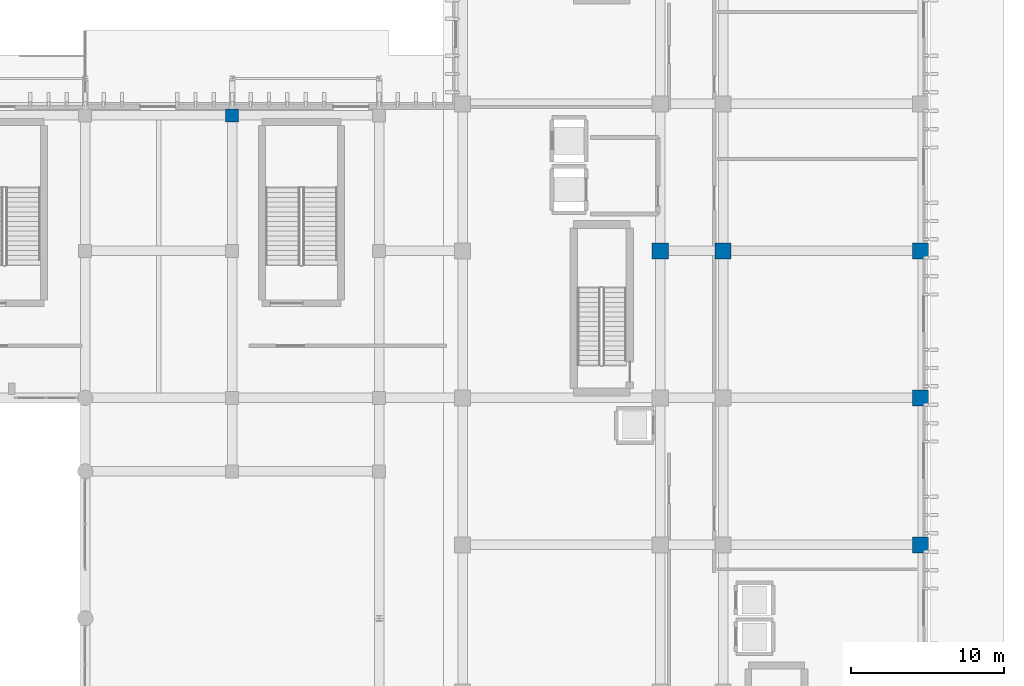
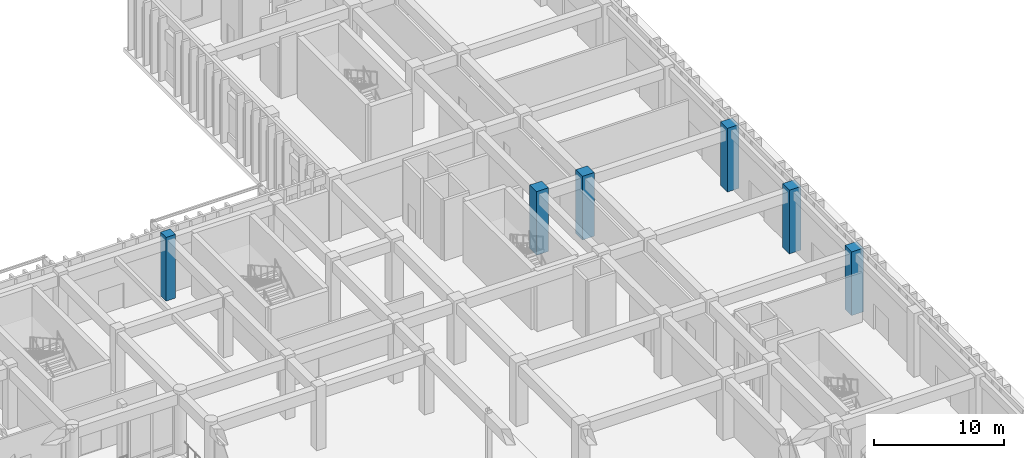
# One storey, part 12 of 87: 6 columns.
"""IFC4 building model written with IfcOpenShell, lengths in metres."""

from ifc_helpers import new_model, si_unit, direction, frame, origin, origin_2d, place, context, subcontext, project, spatial, rectangle, extrude, material, material_profile, profile_set, type_object, element, save


model = new_model("IFC4")

# Units and contexts
model_context = context("Model", 3, precision=1e-05, world=origin(), true_north=direction((0.0, 1.0)))
body_context = subcontext(model_context, "Body", "Model", "MODEL_VIEW")
ifc_project = project(units=[si_unit("LENGTHUNIT", "METRE"), si_unit("AREAUNIT", "SQUARE_METRE"), si_unit("VOLUMEUNIT", "CUBIC_METRE"), si_unit("PLANEANGLEUNIT", "RADIAN"), si_unit("MASSUNIT", "GRAM", prefix="KILO")], contexts=[model_context])

# Site, building, storey
site_placement = place(None, origin())
site = spatial("IfcSite", under=ifc_project, at=site_placement, CompositionType="ELEMENT")
building_placement = place(site_placement, origin())
building = spatial("IfcBuilding", under=site, at=building_placement, Name="Nakhvara Creek Congress Hotel", CompositionType="ELEMENT")
storey_placement = place(building_placement, origin())
storey = spatial("IfcBuildingStorey", under=building, at=storey_placement, Name="L00", CompositionType="ELEMENT", Elevation=0.0)

# Columns
ifc_material = material(Name="Concrete C50/60", Category="concrete")
ifc_material_profile_1 = material_profile(ifc_material, rectangle(XDim=1.050048828125, YDim=1.050048828125, at=origin_2d()), Name="RC-COL 1050x1050", Category="LoadBearing")
ifc_profile_set_1 = profile_set([ifc_material_profile_1], Name="Concrete C50/60")
column_type_1 = type_object("IfcColumnType", Name="COL-RC-1050", PredefinedType="COLUMN", material=ifc_profile_set_1)
for number, where, z_axis, x_axis, name in (
    (1, (162.35009765625, 86.39990234375, 0.0), (0.0, 0.0, 1.0), (1.0, 0.0, 0.0), "Column C16-L00-0779"),
    (2, (166.449951171875, 86.39990234375, 0.0), (0.0, 0.0, 1.0), (1.0, 0.0, 0.0), "Column C16-L00-0793"),
    (3, (179.35009765625, 67.199951171875, 0.0), (0.0, 0.0, 1.0), (1.0, 0.0, 0.0), "Column C16-L00-0805"),
    (4, (179.35009765625, 76.800048828125, 0.0), (0.0, 0.0, 1.0), (1.0, 0.0, 0.0), "Column C16-L00-0806"),
    (5, (179.35009765625, 86.39990234375, 0.0), (0.0, 0.0, 1.0), (1.0, 0.0, 0.0), "Column C16-L00-0807"),
):
    element("IfcColumn", number, at=place(storey_placement, frame(where, z_axis=z_axis, x_axis=x_axis)), inside=storey, type_object=column_type_1, Name=name, PredefinedType="COLUMN", context=body_context, shape_type="SweptSolid", body=[
        extrude(rectangle(XDim=1.050048828125, YDim=1.050048828125, at=origin_2d()), origin(), (0.0, 0.0, 1.0), 6.0),
    ])
ifc_material_profile_2 = material_profile(ifc_material, rectangle(XDim=0.85009765625, YDim=0.85009765625, at=origin_2d()), Name="RC-COL 850x850", Category="LoadBearing")
ifc_profile_set_2 = profile_set([ifc_material_profile_2], Name="Concrete C50/60")
column_type_2 = type_object("IfcColumnType", Name="COL-RC-850", PredefinedType="COLUMN", material=ifc_profile_set_2)
column_placement = place(storey_placement, frame((134.39990234375, 95.25, 0.0), z_axis=(0.0, 0.0, 1.0), x_axis=(1.0, 0.0, 0.0)))
element("IfcColumn", 6, at=column_placement, inside=storey, type_object=column_type_2, Name="Column C18-L00-0727", PredefinedType="COLUMN", context=body_context, shape_type="SweptSolid", body=[
    extrude(rectangle(XDim=0.85009765625, YDim=0.85009765625, at=origin_2d()), origin(), (0.0, 0.0, 1.0), 6.0),
])

save(model, "model.ifc")
